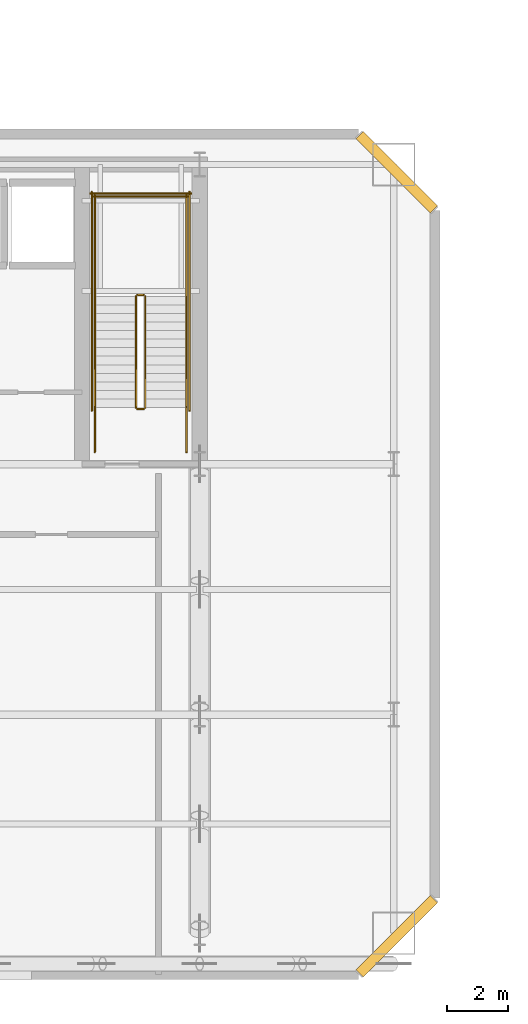
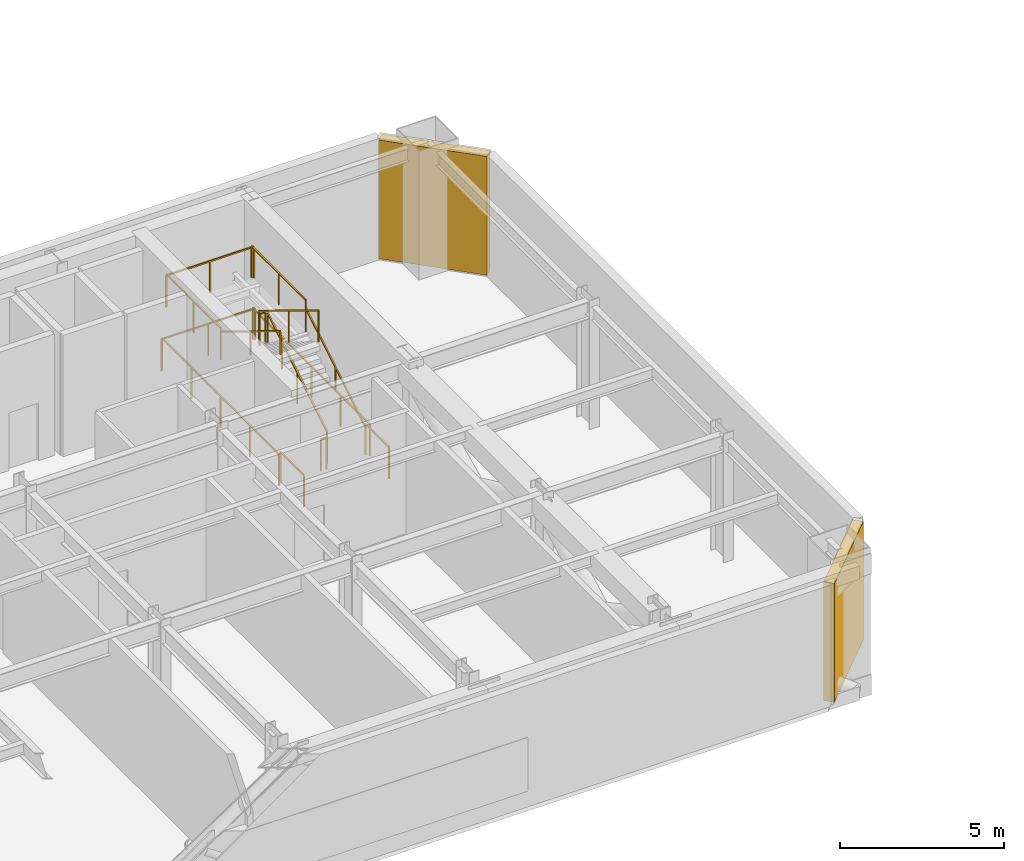
# One storey, part 13 of 15: 14 railings, 2 shading devices.
"""IFC4 building model written with IfcOpenShell, lengths in metres."""

from ifc_helpers import new_model, si_unit, direction, frame, origin, origin_2d, place, context, subcontext, project, spatial, rectangle, extrude, material, layer, layer_set, type_object, element, save


model = new_model("IFC4")

# Units and contexts
model_context = context("Model", 3, precision=1e-05, world=origin(), true_north=direction((0.0, 1.0)))
body_context = subcontext(model_context, "Body", "Model", "MODEL_VIEW")
ifc_project = project(units=[si_unit("LENGTHUNIT", "METRE"), si_unit("AREAUNIT", "SQUARE_METRE"), si_unit("VOLUMEUNIT", "CUBIC_METRE"), si_unit("PLANEANGLEUNIT", "RADIAN"), si_unit("MASSUNIT", "GRAM", prefix="KILO")], contexts=[model_context])

# Site, building, storey
site_placement = place(None, origin())
site = spatial("IfcSite", under=ifc_project, at=site_placement, CompositionType="ELEMENT")
building_placement = place(site_placement, origin())
building = spatial("IfcBuilding", under=site, at=building_placement, Name="Haevon Station Towers", CompositionType="ELEMENT")
storey_placement = place(building_placement, frame((0.0, 0.0, 138.0)))
storey = spatial("IfcBuildingStorey", under=building, at=storey_placement, Name="L37", CompositionType="ELEMENT", Elevation=138.0)

# Railings
ifc_material_1 = material(Name="Steel S355", Category="steel")
railing_type_1 = type_object("IfcRailingType", Name="GRD-STR1200", PredefinedType="GUARDRAIL", material=ifc_material_1)
railing_1_placement = place(storey_placement, frame((49.219970703125, 40.050048828125, 0.17138671875)))
element("IfcRailing", 1, at=railing_1_placement, inside=storey, type_object=railing_type_1, Name="L37 ST2 Stair Guard 1", PredefinedType="GUARDRAIL", context=body_context, shape_type="SweptSolid", body=[
    extrude(rectangle(XDim=0.048095703125, YDim=0.048095703125, at=origin_2d()), frame((0.0, 0.0, 1.17578125), z_axis=(0.0, 0.852850264322, 0.5221555579), x_axis=(-1.0, 0.0, 0.0)), (0.0, 0.0, 1.0), 4.267822265625),
    extrude(rectangle(XDim=0.0419921875, YDim=0.0419921875, at=origin_2d()), origin(), (0.0, 0.0, 1.0), 1.15185546875),
    extrude(rectangle(XDim=0.0419921875, YDim=0.0419921875, at=origin_2d()), frame((0.0, 1.81982421875, 1.1142578125)), (0.0, 0.0, 1.0), 1.15185546875),
    extrude(rectangle(XDim=0.0419921875, YDim=0.0419921875, at=origin_2d()), frame((0.0, 3.639892578125, 2.228515625)), (0.0, 0.0, 1.0), 1.15185546875),
])
railing_2_placement = place(storey_placement, frame((49.169921875, 43.739990234375, 2.39990234375)))
element("IfcRailing", 2, at=railing_2_placement, inside=storey, type_object=railing_type_1, Name="L37 ST2 Stair Guard 2", PredefinedType="GUARDRAIL", context=body_context, shape_type="SweptSolid", body=[
    extrude(rectangle(XDim=0.048095703125, YDim=0.048095703125, at=origin_2d()), frame((0.0, 0.0, 1.17578125), z_axis=(-1.0, 0.0, 0.0), x_axis=(0.0, -1.0, 0.0)), (0.0, 0.0, 1.0), 0.199951171875),
    extrude(rectangle(XDim=0.0419921875, YDim=0.0419921875, at=origin_2d()), origin(), (0.0, 0.0, 1.0), 1.15185546875),
    extrude(rectangle(XDim=0.0419921875, YDim=0.0419921875, at=origin_2d()), frame((-0.199951171875, 0.0, 0.0)), (0.0, 0.0, 1.0), 1.15185546875),
])
for number, where, name in (
    (3, (50.570068359375, 43.68994140625, 2.39990234375), "L37 ST2 Stair Guard 3"),
    (4, (47.570068359375, 43.68994140625, 2.39990234375), "L37 ST2 Stair Guard 4"),
):
    element("IfcRailing", number, at=place(storey_placement, frame(where)), inside=storey, type_object=railing_type_1, Name=name, PredefinedType="GUARDRAIL", context=body_context, shape_type="SweptSolid", body=[
        extrude(rectangle(XDim=0.048095703125, YDim=0.048095703125, at=origin_2d()), frame((0.0, 0.0, 1.17578125), z_axis=(0.0, 1.0, 0.0), x_axis=(-1.0, 0.0, 0.0)), (0.0, 0.0, 1.0), 3.31005859375),
        extrude(rectangle(XDim=0.0419921875, YDim=0.0419921875, at=origin_2d()), origin(), (0.0, 0.0, 1.0), 1.15185546875),
        extrude(rectangle(XDim=0.0419921875, YDim=0.0419921875, at=origin_2d()), frame((0.0, 1.655029296875, 0.0)), (0.0, 0.0, 1.0), 1.15185546875),
        extrude(rectangle(XDim=0.0419921875, YDim=0.0419921875, at=origin_2d()), frame((0.0, 3.31005859375, 0.0)), (0.0, 0.0, 1.0), 1.15185546875),
    ])
railing_3_placement = place(storey_placement, frame((50.6201171875, 46.949951171875, 2.39990234375)))
element("IfcRailing", 5, at=railing_3_placement, inside=storey, type_object=railing_type_1, Name="L37 ST2 Stair Guard 5", PredefinedType="GUARDRAIL", context=body_context, shape_type="SweptSolid", body=[
    extrude(rectangle(XDim=0.048095703125, YDim=0.048095703125, at=origin_2d()), frame((0.0, 0.0, 1.17578125), z_axis=(-1.0, 0.0, 0.0), x_axis=(0.0, -1.0, 0.0)), (0.0, 0.0, 1.0), 3.10009765625),
    extrude(rectangle(XDim=0.0419921875, YDim=0.0419921875, at=origin_2d()), origin(), (0.0, 0.0, 1.0), 1.15185546875),
    extrude(rectangle(XDim=0.0419921875, YDim=0.0419921875, at=origin_2d()), frame((-1.550048828125, 0.0, 0.0)), (0.0, 0.0, 1.0), 1.15185546875),
    extrude(rectangle(XDim=0.0419921875, YDim=0.0419921875, at=origin_2d()), frame((-3.10009765625, 0.0, 0.0)), (0.0, 0.0, 1.0), 1.15185546875),
])
railing_4_placement = place(storey_placement, frame((48.919921875, 43.68994140625, 2.571533203125)))
element("IfcRailing", 6, at=railing_4_placement, inside=storey, type_object=railing_type_1, Name="L37 ST2 Stair Guard 6", PredefinedType="GUARDRAIL", context=body_context, shape_type="SweptSolid", body=[
    extrude(rectangle(XDim=0.048095703125, YDim=0.048095703125, at=origin_2d()), frame((0.0, 0.0, 1.17578125), z_axis=(0.0, -0.852850264322, 0.5221555579), x_axis=(1.0, 0.0, 0.0)), (0.0, 0.0, 1.0), 4.267822265625),
    extrude(rectangle(XDim=0.0419921875, YDim=0.0419921875, at=origin_2d()), origin(), (0.0, 0.0, 1.0), 1.15185546875),
    extrude(rectangle(XDim=0.0419921875, YDim=0.0419921875, at=origin_2d()), frame((0.0, -1.81982421875, 1.1142578125)), (0.0, 0.0, 1.0), 1.15185546875),
    extrude(rectangle(XDim=0.0419921875, YDim=0.0419921875, at=origin_2d()), frame((0.0, -3.639892578125, 2.228515625)), (0.0, 0.0, 1.0), 1.15185546875),
])
railing_5_placement = place(storey_placement, frame((49.169921875, 40.0, 0.0)))
element("IfcRailing", 7, at=railing_5_placement, inside=storey, type_object=railing_type_1, Name="L37 ST2 Stair Guard 7", PredefinedType="GUARDRAIL", context=body_context, shape_type="SweptSolid", body=[
    extrude(rectangle(XDim=0.048095703125, YDim=0.048095703125, at=origin_2d()), frame((0.0, 0.0, 1.17578125), z_axis=(-1.0, 0.0, 0.0), x_axis=(0.0, -1.0, 0.0)), (0.0, 0.0, 1.0), 0.199951171875),
    extrude(rectangle(XDim=0.0419921875, YDim=0.0419921875, at=origin_2d()), origin(), (0.0, 0.0, 1.0), 1.15185546875),
    extrude(rectangle(XDim=0.0419921875, YDim=0.0419921875, at=origin_2d()), frame((-0.199951171875, 0.0, 0.0)), (0.0, 0.0, 1.0), 1.15185546875),
])
for number, where, name in (
    (8, (50.570068359375, 38.60009765625, 0.0), "L37 ST2 Stair Guard 8"),
    (9, (47.570068359375, 38.60009765625, 0.0), "L37 ST2 Stair Guard 9"),
):
    element("IfcRailing", number, at=place(storey_placement, frame(where)), inside=storey, type_object=railing_type_1, Name=name, PredefinedType="GUARDRAIL", context=body_context, shape_type="SweptSolid", body=[
        extrude(rectangle(XDim=0.048095703125, YDim=0.048095703125, at=origin_2d()), frame((0.0, 0.0, 1.17578125), z_axis=(0.0, 1.0, 0.0), x_axis=(-1.0, 0.0, 0.0)), (0.0, 0.0, 1.0), 1.449951171875),
        extrude(rectangle(XDim=0.0419921875, YDim=0.0419921875, at=origin_2d()), origin(), (0.0, 0.0, 1.0), 1.15185546875),
        extrude(rectangle(XDim=0.0419921875, YDim=0.0419921875, at=origin_2d()), frame((0.0, 1.449951171875, 0.0)), (0.0, 0.0, 1.0), 1.15185546875),
    ])
for number, where, name in (
    (10, (50.669921875, 39.949951171875, 0.0), "L37 ST2 Stair Guard 10"),
    (11, (47.469970703125, 39.949951171875, 0.0), "L37 ST2 Stair Guard 11"),
):
    element("IfcRailing", number, at=place(storey_placement, frame(where)), inside=storey, type_object=railing_type_1, Name=name, PredefinedType="GUARDRAIL", context=body_context, shape_type="SweptSolid", body=[
        extrude(rectangle(XDim=0.048095703125, YDim=0.048095703125, at=origin_2d()), frame((0.0, 0.0, 1.17578125), z_axis=(0.0, 1.0, 0.0), x_axis=(-1.0, 0.0, 0.0)), (0.0, 0.0, 1.0), 7.150146484375),
        extrude(rectangle(XDim=0.0419921875, YDim=0.0419921875, at=origin_2d()), origin(), (0.0, 0.0, 1.0), 1.15185546875),
        extrude(rectangle(XDim=0.0419921875, YDim=0.0419921875, at=origin_2d()), frame((0.0, 1.78759765625, 0.0)), (0.0, 0.0, 1.0), 1.15185546875),
        extrude(rectangle(XDim=0.0419921875, YDim=0.0419921875, at=origin_2d()), frame((0.0, 3.5751953125, 0.0)), (0.0, 0.0, 1.0), 1.15185546875),
        extrude(rectangle(XDim=0.0419921875, YDim=0.0419921875, at=origin_2d()), frame((0.0, 5.362548828125, 0.0)), (0.0, 0.0, 1.0), 1.15185546875),
        extrude(rectangle(XDim=0.0419921875, YDim=0.0419921875, at=origin_2d()), frame((0.0, 7.150146484375, 0.0)), (0.0, 0.0, 1.0), 1.15185546875),
    ])
railing_6_placement = place(storey_placement, frame((50.719970703125, 47.050048828125, 0.0)))
element("IfcRailing", 12, at=railing_6_placement, inside=storey, type_object=railing_type_1, Name="L37 ST2 Stair Guard 12", PredefinedType="GUARDRAIL", context=body_context, shape_type="SweptSolid", body=[
    extrude(rectangle(XDim=0.048095703125, YDim=0.048095703125, at=origin_2d()), frame((0.0, 0.0, 1.17578125), z_axis=(-1.0, 0.0, 0.0), x_axis=(0.0, -1.0, 0.0)), (0.0, 0.0, 1.0), 3.300048828125),
    extrude(rectangle(XDim=0.0419921875, YDim=0.0419921875, at=origin_2d()), origin(), (0.0, 0.0, 1.0), 1.15185546875),
    extrude(rectangle(XDim=0.0419921875, YDim=0.0419921875, at=origin_2d()), frame((-1.64990234375, 0.0, 0.0)), (0.0, 0.0, 1.0), 1.15185546875),
    extrude(rectangle(XDim=0.0419921875, YDim=0.0419921875, at=origin_2d()), frame((-3.300048828125, 0.0, 0.0)), (0.0, 0.0, 1.0), 1.15185546875),
])
railing_type_2 = type_object("IfcRailingType", Name="HND-STR900", PredefinedType="HANDRAIL", material=ifc_material_1)
railing_7_placement = place(storey_placement, frame((50.570068359375, 40.050048828125, 0.17138671875)))
element("IfcRailing", 13, at=railing_7_placement, inside=storey, type_object=railing_type_2, Name="L37 ST2 Stair Handrail 1", PredefinedType="HANDRAIL", context=body_context, shape_type="SweptSolid", body=[
    extrude(rectangle(XDim=0.048095703125, YDim=0.048095703125, at=origin_2d()), frame((0.0, 0.0, 0.8759765625), z_axis=(0.0, 0.852850264322, 0.5221555579), x_axis=(-1.0, 0.0, 0.0)), (0.0, 0.0, 1.0), 4.267822265625),
    extrude(rectangle(XDim=0.0419921875, YDim=0.0419921875, at=origin_2d()), origin(), (0.0, 0.0, 1.0), 0.851806640625),
    extrude(rectangle(XDim=0.0419921875, YDim=0.0419921875, at=origin_2d()), frame((0.0, 1.81982421875, 1.1142578125)), (0.0, 0.0, 1.0), 0.851806640625),
    extrude(rectangle(XDim=0.0419921875, YDim=0.0419921875, at=origin_2d()), frame((0.0, 3.639892578125, 2.228515625)), (0.0, 0.0, 1.0), 0.851806640625),
])
railing_8_placement = place(storey_placement, frame((47.570068359375, 43.68994140625, 2.571533203125)))
element("IfcRailing", 14, at=railing_8_placement, inside=storey, type_object=railing_type_2, Name="L37 ST2 Stair Handrail 2", PredefinedType="HANDRAIL", context=body_context, shape_type="SweptSolid", body=[
    extrude(rectangle(XDim=0.048095703125, YDim=0.048095703125, at=origin_2d()), frame((0.0, 0.0, 0.8759765625), z_axis=(0.0, -0.852850264322, 0.5221555579), x_axis=(1.0, 0.0, 0.0)), (0.0, 0.0, 1.0), 4.267822265625),
    extrude(rectangle(XDim=0.0419921875, YDim=0.0419921875, at=origin_2d()), origin(), (0.0, 0.0, 1.0), 0.851806640625),
    extrude(rectangle(XDim=0.0419921875, YDim=0.0419921875, at=origin_2d()), frame((0.0, -1.81982421875, 1.1142578125)), (0.0, 0.0, 1.0), 0.851806640625),
    extrude(rectangle(XDim=0.0419921875, YDim=0.0419921875, at=origin_2d()), frame((0.0, -3.639892578125, 2.228515625)), (0.0, 0.0, 1.0), 0.851806640625),
])

# Shading devices
ifc_material_2 = material(Name="Anodised aluminium 6063-T6", Category="aluminium")
ifc_layer = layer(ifc_material_2, 0.139892578125)
ifc_layer_set = layer_set([ifc_layer], Name="Anodised aluminium 6063-T6")
shading_device_type = type_object("IfcShadingDeviceType", Name="SHD-WIND-BAFFLE", PredefinedType="SHUTTER", material=ifc_layer_set)
for number, where, z_axis, x_axis, name in (
    (15, (57.449951171875, 47.75, 0.0498046875), (0.0, 0.0, 1.0), (0.707106781187, -0.707106781187, 0.0), "Tower 1 L37 Wind-Corner Aerofoil Baffle NEC"),
    (16, (57.449951171875, 22.75, 0.0498046875), (0.0, 0.0, 1.0), (-0.707106781187, -0.707106781187, 0.0), "Tower 1 L37 Wind-Corner Aerofoil Baffle SEC"),
):
    element("IfcShadingDevice", number, at=place(storey_placement, frame(where, z_axis=z_axis, x_axis=x_axis)), inside=storey, type_object=shading_device_type, Name=name, PredefinedType="SHUTTER", context=body_context, shape_type="SweptSolid", body=[
        extrude(rectangle(XDim=3.435546875, YDim=0.340087890625, at=origin_2d()), origin(), (0.0, 0.0, 1.0), 4.429931640625),
    ])

save(model, "model.ifc")
